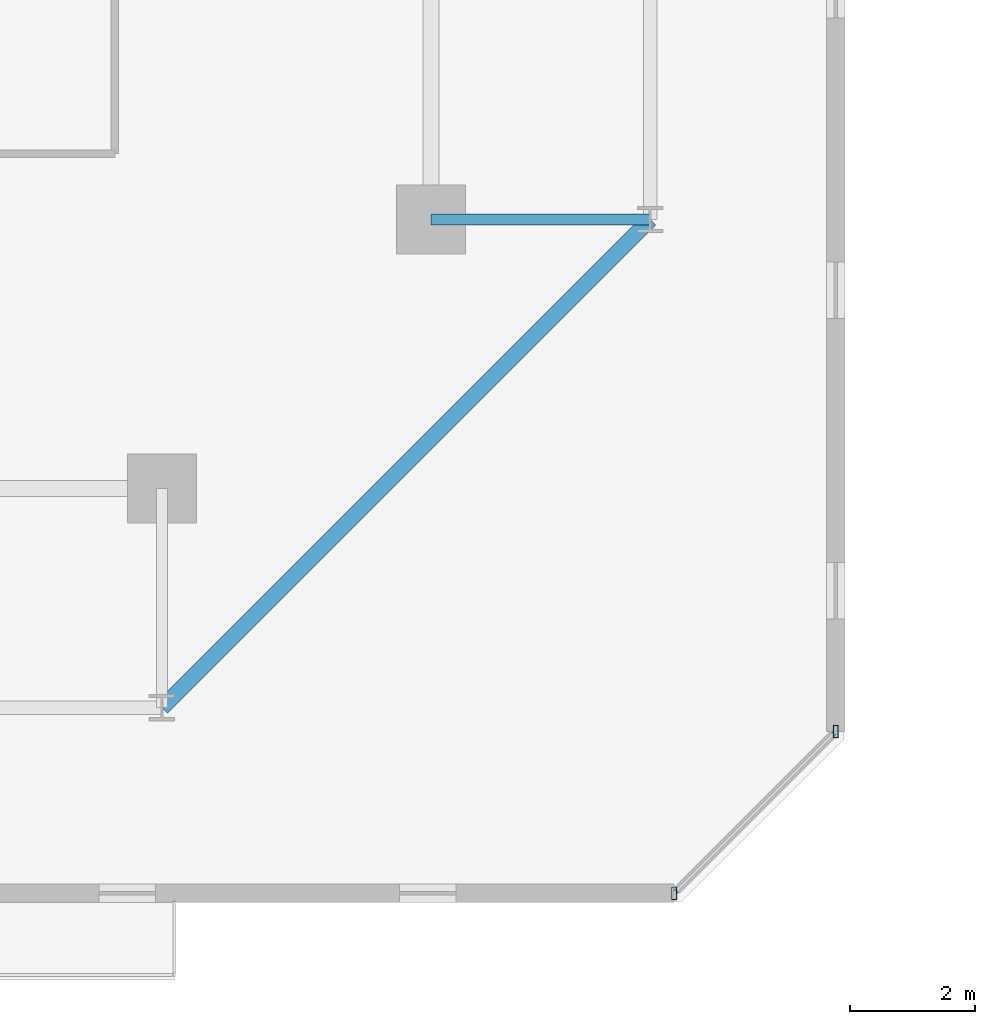
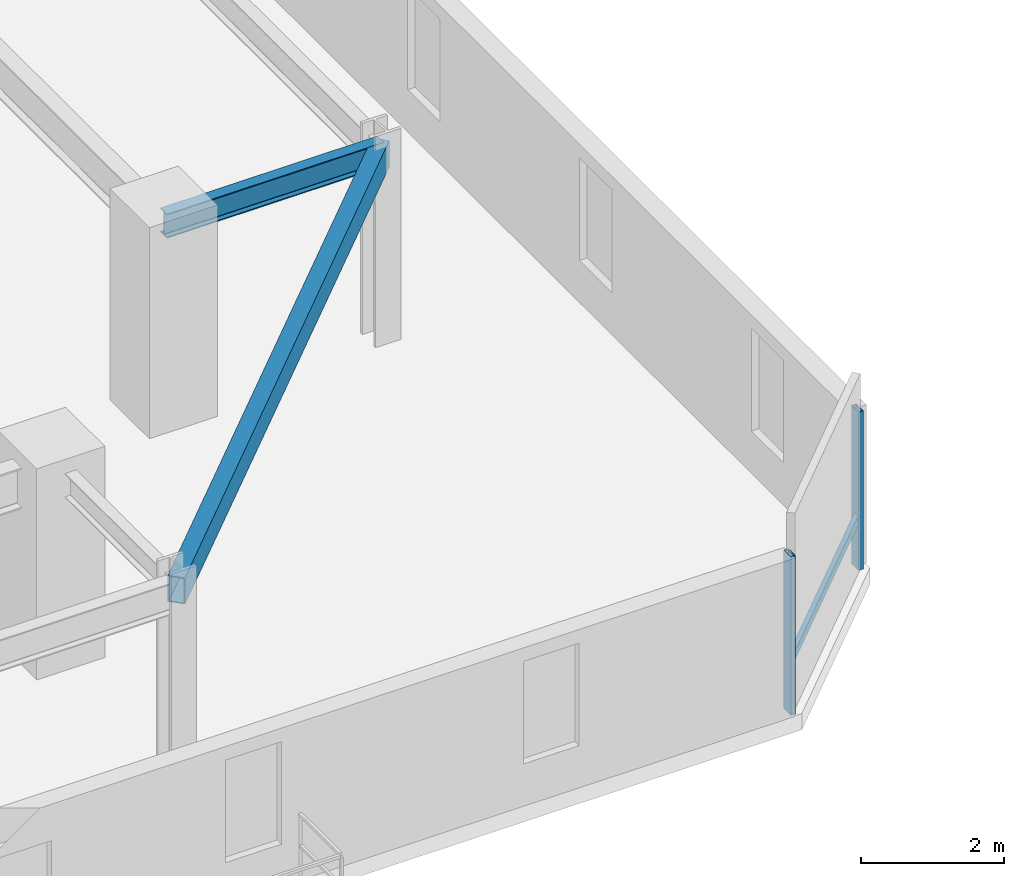
# One storey, part 5 of 32: 3 members, 2 beams, 1 element without a shape of its own.
"""IFC4 building model written with IfcOpenShell, lengths in metres."""

from ifc_helpers import new_model, si_unit, direction, frame, origin, origin_2d, place, context, subcontext, project, spatial, hollow_rectangle, i_section, extrude, material, material_profile, profile_set, type_object, element, aggregate, save


model = new_model("IFC4")

# Units and contexts
model_context = context("Model", 3, precision=1e-05, world=origin(), true_north=direction((0.0, 1.0)))
body_context = subcontext(model_context, "Body", "Model", "MODEL_VIEW")
ifc_project = project(units=[si_unit("LENGTHUNIT", "METRE"), si_unit("AREAUNIT", "SQUARE_METRE"), si_unit("VOLUMEUNIT", "CUBIC_METRE"), si_unit("PLANEANGLEUNIT", "RADIAN"), si_unit("MASSUNIT", "GRAM", prefix="KILO")], contexts=[model_context])

# Site, building, storey
site_placement = place(None, origin())
site = spatial("IfcSite", under=ifc_project, at=site_placement, CompositionType="ELEMENT")
building_placement = place(site_placement, origin())
building = spatial("IfcBuilding", under=site, at=building_placement, Name="Thornwick Lancets Civic Towers", CompositionType="ELEMENT")
storey_placement = place(building_placement, frame((0.0, 0.0, 152.699951171875)))
storey = spatial("IfcBuildingStorey", under=building, at=storey_placement, Name="L40", CompositionType="ELEMENT", Elevation=152.699951171875)

# Beams
ifc_material_1 = material(Name="Steel S355JR", Category="steel")
ifc_material_profile_1 = material_profile(ifc_material_1, i_section(OverallWidth=0.179443359375, OverallDepth=0.412841796875, WebThickness=0.009521484375, FlangeThickness=0.01611328125, FilletRadius=0.01025390625, at=origin_2d()), Name="UKB 406x178x74")
ifc_profile_set_1 = profile_set([ifc_material_profile_1], Name="Steel S355JR")
beam_type_1 = type_object("IfcBeamType", Name="BM_JOIST_406_74", PredefinedType="JOIST", material=ifc_profile_set_1)
beam_1_placement = place(storey_placement, frame((42.800048828125, 14.0, 3.153564453125), z_axis=(1.0, 0.0, 0.0), x_axis=(0.0, 1.0, 0.0)))
element("IfcBeam", 1, at=beam_1_placement, inside=storey, type_object=beam_type_1, Name="BM-RAD-L40-A04", PredefinedType="JOIST", context=body_context, shape_type="SweptSolid", body=[
    extrude(i_section(OverallWidth=0.179443359375, OverallDepth=0.412841796875, WebThickness=0.009521484375, FlangeThickness=0.01611328125, FilletRadius=0.01025390625, at=origin_2d()), origin(), (0.0, 0.0, 1.0), 3.5),
])
ifc_material_profile_2 = material_profile(ifc_material_1, hollow_rectangle(XDim=0.25, YDim=0.449951171875, WallThickness=0.01611328125, at=origin_2d()), Name="RHS 450x250x16")
ifc_profile_set_2 = profile_set([ifc_material_profile_2], Name="Steel S355JR")
beam_type_2 = type_object("IfcBeamType", Name="BM_RING_RHS450", PredefinedType="BEAM", material=ifc_profile_set_2)
beam_2_placement = place(storey_placement, frame((38.5, 6.199951171875, 3.135009765625), z_axis=(0.707106781187, 0.707106781187, 0.0), x_axis=(-0.707106781187, 0.707106781187, 0.0)))
element("IfcBeam", 2, at=beam_2_placement, inside=storey, type_object=beam_type_2, Name="BM-CHAMF-L40-A-C0", PredefinedType="BEAM", context=body_context, shape_type="SweptSolid", body=[
    extrude(hollow_rectangle(XDim=0.25, YDim=0.449951171875, WallThickness=0.01611328125, at=origin_2d()), origin(), (0.0, 0.0, 1.0), 11.031005859375),
])

# Curtain wall, members
ifc_material_2 = material(Name="Mid-zone chamfered-corner unitised glass curtain wall", Category="glass")
curtain_wall_type = type_object("IfcCurtainWallType", Name="CW_SYS_04", PredefinedType="NOTDEFINED", material=ifc_material_2)
curtain_wall_placement = place(storey_placement, origin())
curtain_wall = element("IfcCurtainWall", 3, at=curtain_wall_placement, inside=storey, type_object=curtain_wall_type, Name="L40 Curtain Wall CW-L40-A-E1", PredefinedType="NOTDEFINED")
ifc_material_3 = material(Name="Thermally broken bronze aluminium S355", Category="steel")
ifc_material_profile_3 = material_profile(ifc_material_3, hollow_rectangle(XDim=0.080078125, YDim=0.199951171875, WallThickness=0.006103515625, at=origin_2d()), Name="RHS 200x80x6")
ifc_profile_set_3 = profile_set([ifc_material_profile_3], Name="Thermally broken bronze aluminium S355")
member_type_1 = type_object("IfcMemberType", Name="CW_MUL_200", PredefinedType="MULLION", material=ifc_profile_set_3)
member_1_placement = place(storey_placement, frame((46.681396484375, 3.2353515625, 0.0), z_axis=(0.0, 0.0, 1.0), x_axis=(1.0, 0.0, 0.0)))
member_1 = element("IfcMember", 4, at=member_1_placement, type_object=member_type_1, Name="CW-L40-A-E1 Mullion 0", PredefinedType="MULLION", context=body_context, shape_type="SweptSolid", body=[
    extrude(hollow_rectangle(XDim=0.080078125, YDim=0.199951171875, WallThickness=0.006103515625, at=origin_2d()), origin(), (0.0, 0.0, 1.0), 2.699951171875),
])
member_2_placement = place(storey_placement, frame((49.2646484375, 5.818603515625, 0.0), z_axis=(0.0, 0.0, 1.0), x_axis=(1.0, 0.0, 0.0)))
member_2 = element("IfcMember", 5, at=member_2_placement, type_object=member_type_1, Name="CW-L40-A-E1 Mullion 1", PredefinedType="MULLION", context=body_context, shape_type="SweptSolid", body=[
    extrude(hollow_rectangle(XDim=0.080078125, YDim=0.199951171875, WallThickness=0.006103515625, at=origin_2d()), origin(), (0.0, 0.0, 1.0), 2.699951171875),
])
ifc_material_profile_4 = material_profile(ifc_material_3, hollow_rectangle(XDim=0.074951171875, YDim=0.14990234375, WallThickness=0.0048828125, at=origin_2d()), Name="RHS 150x75x5")
ifc_profile_set_4 = profile_set([ifc_material_profile_4], Name="Thermally broken bronze aluminium S355")
member_type_2 = type_object("IfcMemberType", Name="CW_TRN_150", PredefinedType="USERDEFINED", material=ifc_profile_set_4)
member_3_placement = place(storey_placement, frame((46.695556640625, 3.24951171875, 0.85009765625), z_axis=(0.707106781187, 0.707106781187, 0.0), x_axis=(-0.707106781187, 0.707106781187, 0.0)))
member_3 = element("IfcMember", 6, at=member_3_placement, type_object=member_type_2, Name="CW-L40-A-E1 Transom 0", ObjectType="TRANSOM", PredefinedType="USERDEFINED", context=body_context, shape_type="SweptSolid", body=[
    extrude(hollow_rectangle(XDim=0.074951171875, YDim=0.14990234375, WallThickness=0.0048828125, at=origin_2d()), origin(), (0.0, 0.0, 1.0), 3.61328125),
])
aggregate(curtain_wall, [member_1, member_2, member_3])

save(model, "model.ifc")
